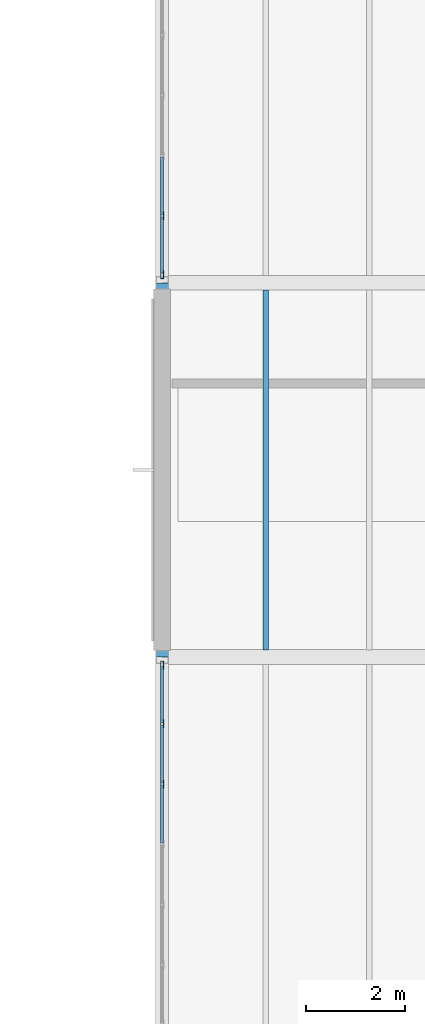
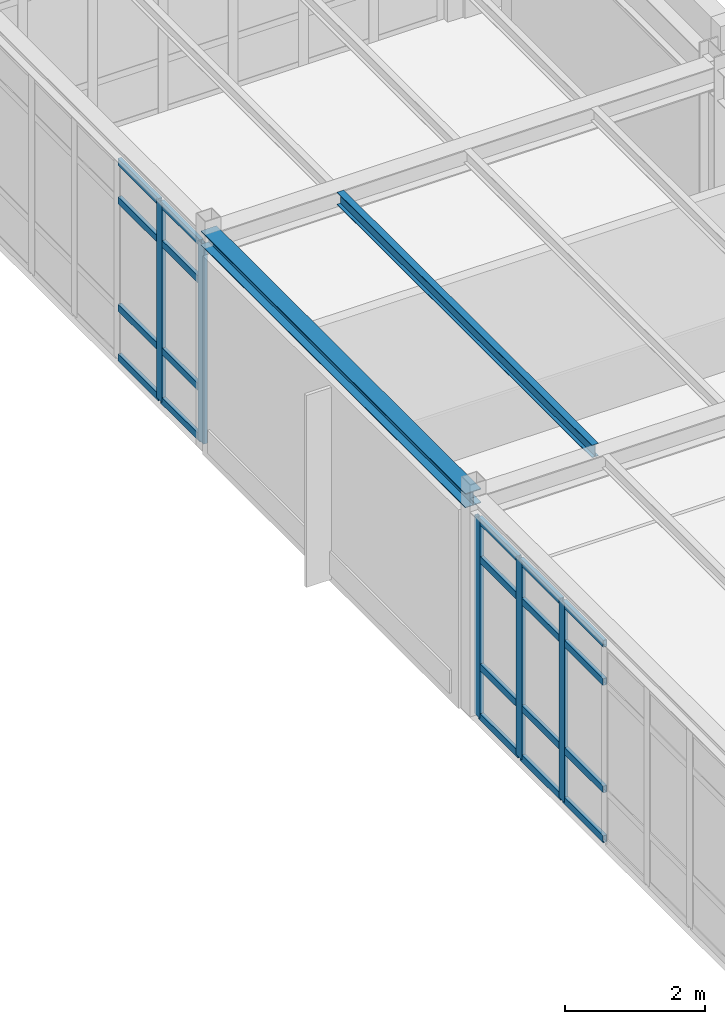
# One storey, part 83 of 189: 25 members, 2 beams, 2 elements without a shape of their own.
"""IFC4 building model written with IfcOpenShell, lengths in metres."""

from ifc_helpers import new_model, si_unit, direction, frame, origin, origin_2d, place, context, subcontext, project, spatial, hollow_rectangle, i_section, extrude, material, layer, layer_set, material_profile, profile_set, type_object, element, aggregate, save


model = new_model("IFC4")

# Units and contexts
model_context = context("Model", 3, precision=1e-05, world=origin(), true_north=direction((0.0, 1.0)))
body_context = subcontext(model_context, "Body", "Model", "MODEL_VIEW")
ifc_project = project(units=[si_unit("LENGTHUNIT", "METRE"), si_unit("AREAUNIT", "SQUARE_METRE"), si_unit("VOLUMEUNIT", "CUBIC_METRE"), si_unit("PLANEANGLEUNIT", "RADIAN"), si_unit("MASSUNIT", "GRAM", prefix="KILO")], contexts=[model_context])

# Site, building, storey
site_placement = place(None, origin())
site = spatial("IfcSite", under=ifc_project, at=site_placement, CompositionType="ELEMENT")
building_placement = place(site_placement, origin())
building = spatial("IfcBuilding", under=site, at=building_placement, Name="Montecoro Central Library", CompositionType="ELEMENT")
storey_placement = place(building_placement, frame((0.0, 0.0, 9.179931640625)))
storey = spatial("IfcBuildingStorey", under=building, at=storey_placement, Name="L02", CompositionType="ELEMENT", Elevation=9.179931640625)

# Beams
ifc_material_1 = material(Name="Steel S355", Category="steel")
ifc_material_profile_1 = material_profile(ifc_material_1, i_section(OverallWidth=0.110107421875, OverallDepth=0.219970703125, WebThickness=0.005859375, FlangeThickness=0.00927734375, at=origin_2d()), Name="IPE 220")
ifc_profile_set_1 = profile_set([ifc_material_profile_1], Name="Steel S355")
beam_type_1 = type_object("IfcBeamType", Name="BM-J-IPE220", PredefinedType="JOIST", material=ifc_profile_set_1)
beam_1_placement = place(storey_placement, frame((68.5, 103.947021484375, 3.715087890625), z_axis=(0.0, 1.0, 0.0), x_axis=(-1.0, 0.0, 0.0)))
element("IfcBeam", 1, at=beam_1_placement, inside=storey, type_object=beam_type_1, Name="V2-L02-JS-910-PQ-1", PredefinedType="JOIST", context=body_context, shape_type="SweptSolid", body=[
    extrude(i_section(OverallWidth=0.110107421875, OverallDepth=0.219970703125, WebThickness=0.005859375, FlangeThickness=0.00927734375, at=origin_2d()), origin(), (0.0, 0.0, 1.0), 7.305908203125),
])
ifc_material_profile_2 = material_profile(ifc_material_1, i_section(OverallWidth=0.260009765625, OverallDepth=0.25, WebThickness=0.007568359375, FlangeThickness=0.012451171875, at=origin_2d()), Name="HEA 260")
ifc_profile_set_2 = profile_set([ifc_material_profile_2], Name="Steel S355")
beam_type_2 = type_object("IfcBeamType", Name="BM-SP-HEA260", PredefinedType="SPANDREL", material=ifc_profile_set_2)
beam_2_placement = place(storey_placement, frame((66.39990234375, 103.804931640625, 3.699951171875), z_axis=(0.0, 1.0, 0.0), x_axis=(-1.0, 0.0, 0.0)))
element("IfcBeam", 2, at=beam_2_placement, inside=storey, type_object=beam_type_2, Name="V2-L02-BY-9-PQ", PredefinedType="SPANDREL", context=body_context, shape_type="SweptSolid", body=[
    extrude(i_section(OverallWidth=0.260009765625, OverallDepth=0.25, WebThickness=0.007568359375, FlangeThickness=0.012451171875, at=origin_2d()), origin(), (0.0, 0.0, 1.0), 7.590087890625),
])

# Curtain wall, members
ifc_material_2 = material(Name="Bronze-anodised aluminium and low-E glazing", Category="aluminium")
ifc_layer = layer(ifc_material_2, 0.159912109375)
ifc_layer_set = layer_set([ifc_layer], Name="Bronze-anodised aluminium and low-E glazing")
curtain_wall_type = type_object("IfcCurtainWallType", Name="CWT-017", PredefinedType="NOTDEFINED", material=ifc_layer_set)
curtain_wall_1_placement = place(storey_placement, origin())
curtain_wall_1 = element("IfcCurtainWall", 3, at=curtain_wall_1_placement, inside=storey, type_object=curtain_wall_type, Name="V2-L02-CW-W4", PredefinedType="NOTDEFINED")
ifc_material_3 = material(Name="Bronze-anodised aluminium", Category="aluminium")
ifc_material_profile_3 = material_profile(ifc_material_3, hollow_rectangle(XDim=0.06005859375, YDim=0.159912109375, WallThickness=0.00390625, at=origin_2d()), Name="CWM 160x60x4.0")
ifc_profile_set_3 = profile_set([ifc_material_profile_3], Name="Bronze-anodised aluminium")
member_type_1 = type_object("IfcMemberType", Name="CWM-BRZ-60", PredefinedType="MULLION", material=ifc_profile_set_3)
member_1_placement = place(storey_placement, frame((66.39990234375, 112.75537109375, 0.0), z_axis=(0.0, 0.0, 1.0), x_axis=(1.0, 0.0, 0.0)))
member_1 = element("IfcMember", 4, at=member_1_placement, type_object=member_type_1, Name="CW-017 mullion 6", PredefinedType="MULLION", context=body_context, shape_type="SweptSolid", body=[
    extrude(hollow_rectangle(XDim=0.06005859375, YDim=0.159912109375, WallThickness=0.00390625, at=origin_2d()), origin(), (0.0, 0.0, 1.0), 3.47998046875),
])
member_2_placement = place(storey_placement, frame((66.39990234375, 111.56298828125, 0.0), z_axis=(0.0, 0.0, 1.0), x_axis=(1.0, 0.0, 0.0)))
member_2 = element("IfcMember", 5, at=member_2_placement, type_object=member_type_1, Name="CW-017 mullion 7", PredefinedType="MULLION", context=body_context, shape_type="SweptSolid", body=[
    extrude(hollow_rectangle(XDim=0.06005859375, YDim=0.159912109375, WallThickness=0.00390625, at=origin_2d()), origin(), (0.0, 0.0, 1.0), 3.47998046875),
])

curtain_wall_2_placement = place(storey_placement, origin())
curtain_wall_2 = element("IfcCurtainWall", 6, at=curtain_wall_2_placement, inside=storey, type_object=curtain_wall_type, Name="V2-L02-CW-W2", PredefinedType="NOTDEFINED")
member_3_placement = place(storey_placement, frame((66.39990234375, 103.636962890625, 0.0), z_axis=(0.0, 0.0, 1.0), x_axis=(1.0, 0.0, 0.0)))
member_3 = element("IfcMember", 7, at=member_3_placement, type_object=member_type_1, Name="CW-017 mullion 1", PredefinedType="MULLION", context=body_context, shape_type="SweptSolid", body=[
    extrude(hollow_rectangle(XDim=0.06005859375, YDim=0.159912109375, WallThickness=0.00390625, at=origin_2d()), origin(), (0.0, 0.0, 1.0), 3.47998046875),
])
member_4_placement = place(storey_placement, frame((66.39990234375, 102.444580078125, 0.0), z_axis=(0.0, 0.0, 1.0), x_axis=(1.0, 0.0, 0.0)))
member_4 = element("IfcMember", 8, at=member_4_placement, type_object=member_type_1, Name="CW-017 mullion 2", PredefinedType="MULLION", context=body_context, shape_type="SweptSolid", body=[
    extrude(hollow_rectangle(XDim=0.06005859375, YDim=0.159912109375, WallThickness=0.00390625, at=origin_2d()), origin(), (0.0, 0.0, 1.0), 3.47998046875),
])
member_5_placement = place(storey_placement, frame((66.39990234375, 101.222412109375, 0.0), z_axis=(0.0, 0.0, 1.0), x_axis=(1.0, 0.0, 0.0)))
member_5 = element("IfcMember", 9, at=member_5_placement, type_object=member_type_1, Name="CW-017 mullion 3", PredefinedType="MULLION", context=body_context, shape_type="SweptSolid", body=[
    extrude(hollow_rectangle(XDim=0.06005859375, YDim=0.159912109375, WallThickness=0.00390625, at=origin_2d()), origin(), (0.0, 0.0, 1.0), 3.47998046875),
])

# Member
ifc_material_profile_4 = material_profile(ifc_material_3, hollow_rectangle(XDim=0.06005859375, YDim=0.1201171875, WallThickness=0.00390625, at=origin_2d()), Name="CWT 120x60x4.0")
ifc_profile_set_4 = profile_set([ifc_material_profile_4], Name="Bronze-anodised aluminium")
member_type_2 = type_object("IfcMemberType", Name="CWT-BRZ-60", PredefinedType="USERDEFINED", material=ifc_profile_set_4)
member_6_placement = place(storey_placement, frame((66.39990234375, 113.94775390625, 0.030029296875), z_axis=(0.0, -1.0, 0.0), x_axis=(1.0, 0.0, 0.0)))
member_6 = element("IfcMember", 10, at=member_6_placement, type_object=member_type_2, Name="CW-017 transom 5.1", ObjectType="TRANSOM", PredefinedType="USERDEFINED", context=body_context, shape_type="SweptSolid", body=[
    extrude(hollow_rectangle(XDim=0.06005859375, YDim=0.1201171875, WallThickness=0.00390625, at=origin_2d()), origin(), (0.0, 0.0, 1.0), 1.162353515625),
])

member_7_placement = place(storey_placement, frame((66.39990234375, 113.94775390625, 0.900146484375), z_axis=(0.0, -1.0, 0.0), x_axis=(1.0, 0.0, 0.0)))
member_7 = element("IfcMember", 11, at=member_7_placement, type_object=member_type_2, Name="CW-017 transom 5.2", ObjectType="TRANSOM", PredefinedType="USERDEFINED", context=body_context, shape_type="SweptSolid", body=[
    extrude(hollow_rectangle(XDim=0.06005859375, YDim=0.1201171875, WallThickness=0.00390625, at=origin_2d()), origin(), (0.0, 0.0, 1.0), 1.162353515625),
])

member_8_placement = place(storey_placement, frame((66.39990234375, 113.94775390625, 2.780029296875), z_axis=(0.0, -1.0, 0.0), x_axis=(1.0, 0.0, 0.0)))
member_8 = element("IfcMember", 12, at=member_8_placement, type_object=member_type_2, Name="CW-017 transom 5.3", ObjectType="TRANSOM", PredefinedType="USERDEFINED", context=body_context, shape_type="SweptSolid", body=[
    extrude(hollow_rectangle(XDim=0.06005859375, YDim=0.1201171875, WallThickness=0.00390625, at=origin_2d()), origin(), (0.0, 0.0, 1.0), 1.162353515625),
])

member_9_placement = place(storey_placement, frame((66.39990234375, 113.94775390625, 3.449951171875), z_axis=(0.0, -1.0, 0.0), x_axis=(1.0, 0.0, 0.0)))
member_9 = element("IfcMember", 13, at=member_9_placement, type_object=member_type_2, Name="CW-017 transom 5.4", ObjectType="TRANSOM", PredefinedType="USERDEFINED", context=body_context, shape_type="SweptSolid", body=[
    extrude(hollow_rectangle(XDim=0.06005859375, YDim=0.1201171875, WallThickness=0.00390625, at=origin_2d()), origin(), (0.0, 0.0, 1.0), 1.162353515625),
])

member_10_placement = place(storey_placement, frame((66.39990234375, 112.725341796875, 0.030029296875), z_axis=(0.0, -1.0, 0.0), x_axis=(1.0, 0.0, 0.0)))
member_10 = element("IfcMember", 14, at=member_10_placement, type_object=member_type_2, Name="CW-017 transom 6.1", ObjectType="TRANSOM", PredefinedType="USERDEFINED", context=body_context, shape_type="SweptSolid", body=[
    extrude(hollow_rectangle(XDim=0.06005859375, YDim=0.1201171875, WallThickness=0.00390625, at=origin_2d()), origin(), (0.0, 0.0, 1.0), 1.13232421875),
])

member_11_placement = place(storey_placement, frame((66.39990234375, 112.725341796875, 0.900146484375), z_axis=(0.0, -1.0, 0.0), x_axis=(1.0, 0.0, 0.0)))
member_11 = element("IfcMember", 15, at=member_11_placement, type_object=member_type_2, Name="CW-017 transom 6.2", ObjectType="TRANSOM", PredefinedType="USERDEFINED", context=body_context, shape_type="SweptSolid", body=[
    extrude(hollow_rectangle(XDim=0.06005859375, YDim=0.1201171875, WallThickness=0.00390625, at=origin_2d()), origin(), (0.0, 0.0, 1.0), 1.13232421875),
])

member_12_placement = place(storey_placement, frame((66.39990234375, 112.725341796875, 2.780029296875), z_axis=(0.0, -1.0, 0.0), x_axis=(1.0, 0.0, 0.0)))
member_12 = element("IfcMember", 16, at=member_12_placement, type_object=member_type_2, Name="CW-017 transom 6.3", ObjectType="TRANSOM", PredefinedType="USERDEFINED", context=body_context, shape_type="SweptSolid", body=[
    extrude(hollow_rectangle(XDim=0.06005859375, YDim=0.1201171875, WallThickness=0.00390625, at=origin_2d()), origin(), (0.0, 0.0, 1.0), 1.13232421875),
])

member_13_placement = place(storey_placement, frame((66.39990234375, 112.725341796875, 3.449951171875), z_axis=(0.0, -1.0, 0.0), x_axis=(1.0, 0.0, 0.0)))
member_13 = element("IfcMember", 17, at=member_13_placement, type_object=member_type_2, Name="CW-017 transom 6.4", ObjectType="TRANSOM", PredefinedType="USERDEFINED", context=body_context, shape_type="SweptSolid", body=[
    extrude(hollow_rectangle(XDim=0.06005859375, YDim=0.1201171875, WallThickness=0.00390625, at=origin_2d()), origin(), (0.0, 0.0, 1.0), 1.13232421875),
])

aggregate(curtain_wall_1, [member_1, member_2, member_6, member_7, member_8, member_9, member_10, member_11, member_12, member_13])

member_14_placement = place(storey_placement, frame((66.39990234375, 103.60693359375, 0.030029296875), z_axis=(0.0, -1.0, 0.0), x_axis=(1.0, 0.0, 0.0)))
member_14 = element("IfcMember", 18, at=member_14_placement, type_object=member_type_2, Name="CW-017 transom 1.1", ObjectType="TRANSOM", PredefinedType="USERDEFINED", context=body_context, shape_type="SweptSolid", body=[
    extrude(hollow_rectangle(XDim=0.06005859375, YDim=0.1201171875, WallThickness=0.00390625, at=origin_2d()), origin(), (0.0, 0.0, 1.0), 1.13232421875),
])

member_15_placement = place(storey_placement, frame((66.39990234375, 103.60693359375, 0.900146484375), z_axis=(0.0, -1.0, 0.0), x_axis=(1.0, 0.0, 0.0)))
member_15 = element("IfcMember", 19, at=member_15_placement, type_object=member_type_2, Name="CW-017 transom 1.2", ObjectType="TRANSOM", PredefinedType="USERDEFINED", context=body_context, shape_type="SweptSolid", body=[
    extrude(hollow_rectangle(XDim=0.06005859375, YDim=0.1201171875, WallThickness=0.00390625, at=origin_2d()), origin(), (0.0, 0.0, 1.0), 1.13232421875),
])

member_16_placement = place(storey_placement, frame((66.39990234375, 103.60693359375, 2.780029296875), z_axis=(0.0, -1.0, 0.0), x_axis=(1.0, 0.0, 0.0)))
member_16 = element("IfcMember", 20, at=member_16_placement, type_object=member_type_2, Name="CW-017 transom 1.3", ObjectType="TRANSOM", PredefinedType="USERDEFINED", context=body_context, shape_type="SweptSolid", body=[
    extrude(hollow_rectangle(XDim=0.06005859375, YDim=0.1201171875, WallThickness=0.00390625, at=origin_2d()), origin(), (0.0, 0.0, 1.0), 1.13232421875),
])

member_17_placement = place(storey_placement, frame((66.39990234375, 103.60693359375, 3.449951171875), z_axis=(0.0, -1.0, 0.0), x_axis=(1.0, 0.0, 0.0)))
member_17 = element("IfcMember", 21, at=member_17_placement, type_object=member_type_2, Name="CW-017 transom 1.4", ObjectType="TRANSOM", PredefinedType="USERDEFINED", context=body_context, shape_type="SweptSolid", body=[
    extrude(hollow_rectangle(XDim=0.06005859375, YDim=0.1201171875, WallThickness=0.00390625, at=origin_2d()), origin(), (0.0, 0.0, 1.0), 1.13232421875),
])

member_18_placement = place(storey_placement, frame((66.39990234375, 102.41455078125, 0.030029296875), z_axis=(0.0, -1.0, 0.0), x_axis=(1.0, 0.0, 0.0)))
member_18 = element("IfcMember", 22, at=member_18_placement, type_object=member_type_2, Name="CW-017 transom 2.1", ObjectType="TRANSOM", PredefinedType="USERDEFINED", context=body_context, shape_type="SweptSolid", body=[
    extrude(hollow_rectangle(XDim=0.06005859375, YDim=0.1201171875, WallThickness=0.00390625, at=origin_2d()), origin(), (0.0, 0.0, 1.0), 1.162109375),
])

member_19_placement = place(storey_placement, frame((66.39990234375, 102.41455078125, 0.900146484375), z_axis=(0.0, -1.0, 0.0), x_axis=(1.0, 0.0, 0.0)))
member_19 = element("IfcMember", 23, at=member_19_placement, type_object=member_type_2, Name="CW-017 transom 2.2", ObjectType="TRANSOM", PredefinedType="USERDEFINED", context=body_context, shape_type="SweptSolid", body=[
    extrude(hollow_rectangle(XDim=0.06005859375, YDim=0.1201171875, WallThickness=0.00390625, at=origin_2d()), origin(), (0.0, 0.0, 1.0), 1.162109375),
])

member_20_placement = place(storey_placement, frame((66.39990234375, 102.41455078125, 2.780029296875), z_axis=(0.0, -1.0, 0.0), x_axis=(1.0, 0.0, 0.0)))
member_20 = element("IfcMember", 24, at=member_20_placement, type_object=member_type_2, Name="CW-017 transom 2.3", ObjectType="TRANSOM", PredefinedType="USERDEFINED", context=body_context, shape_type="SweptSolid", body=[
    extrude(hollow_rectangle(XDim=0.06005859375, YDim=0.1201171875, WallThickness=0.00390625, at=origin_2d()), origin(), (0.0, 0.0, 1.0), 1.162109375),
])

member_21_placement = place(storey_placement, frame((66.39990234375, 102.41455078125, 3.449951171875), z_axis=(0.0, -1.0, 0.0), x_axis=(1.0, 0.0, 0.0)))
member_21 = element("IfcMember", 25, at=member_21_placement, type_object=member_type_2, Name="CW-017 transom 2.4", ObjectType="TRANSOM", PredefinedType="USERDEFINED", context=body_context, shape_type="SweptSolid", body=[
    extrude(hollow_rectangle(XDim=0.06005859375, YDim=0.1201171875, WallThickness=0.00390625, at=origin_2d()), origin(), (0.0, 0.0, 1.0), 1.162109375),
])

member_22_placement = place(storey_placement, frame((66.39990234375, 101.1923828125, 0.030029296875), z_axis=(0.0, -1.0, 0.0), x_axis=(1.0, 0.0, 0.0)))
member_22 = element("IfcMember", 26, at=member_22_placement, type_object=member_type_2, Name="CW-017 transom 3.1", ObjectType="TRANSOM", PredefinedType="USERDEFINED", context=body_context, shape_type="SweptSolid", body=[
    extrude(hollow_rectangle(XDim=0.06005859375, YDim=0.1201171875, WallThickness=0.00390625, at=origin_2d()), origin(), (0.0, 0.0, 1.0), 1.162353515625),
])

member_23_placement = place(storey_placement, frame((66.39990234375, 101.1923828125, 0.900146484375), z_axis=(0.0, -1.0, 0.0), x_axis=(1.0, 0.0, 0.0)))
member_23 = element("IfcMember", 27, at=member_23_placement, type_object=member_type_2, Name="CW-017 transom 3.2", ObjectType="TRANSOM", PredefinedType="USERDEFINED", context=body_context, shape_type="SweptSolid", body=[
    extrude(hollow_rectangle(XDim=0.06005859375, YDim=0.1201171875, WallThickness=0.00390625, at=origin_2d()), origin(), (0.0, 0.0, 1.0), 1.162353515625),
])

member_24_placement = place(storey_placement, frame((66.39990234375, 101.1923828125, 2.780029296875), z_axis=(0.0, -1.0, 0.0), x_axis=(1.0, 0.0, 0.0)))
member_24 = element("IfcMember", 28, at=member_24_placement, type_object=member_type_2, Name="CW-017 transom 3.3", ObjectType="TRANSOM", PredefinedType="USERDEFINED", context=body_context, shape_type="SweptSolid", body=[
    extrude(hollow_rectangle(XDim=0.06005859375, YDim=0.1201171875, WallThickness=0.00390625, at=origin_2d()), origin(), (0.0, 0.0, 1.0), 1.162353515625),
])

member_25_placement = place(storey_placement, frame((66.39990234375, 101.1923828125, 3.449951171875), z_axis=(0.0, -1.0, 0.0), x_axis=(1.0, 0.0, 0.0)))
member_25 = element("IfcMember", 29, at=member_25_placement, type_object=member_type_2, Name="CW-017 transom 3.4", ObjectType="TRANSOM", PredefinedType="USERDEFINED", context=body_context, shape_type="SweptSolid", body=[
    extrude(hollow_rectangle(XDim=0.06005859375, YDim=0.1201171875, WallThickness=0.00390625, at=origin_2d()), origin(), (0.0, 0.0, 1.0), 1.162353515625),
])

aggregate(curtain_wall_2, [member_3, member_4, member_5, member_14, member_15, member_16, member_17, member_18, member_19, member_20, member_21, member_22, member_23, member_24, member_25])

save(model, "model.ifc")
